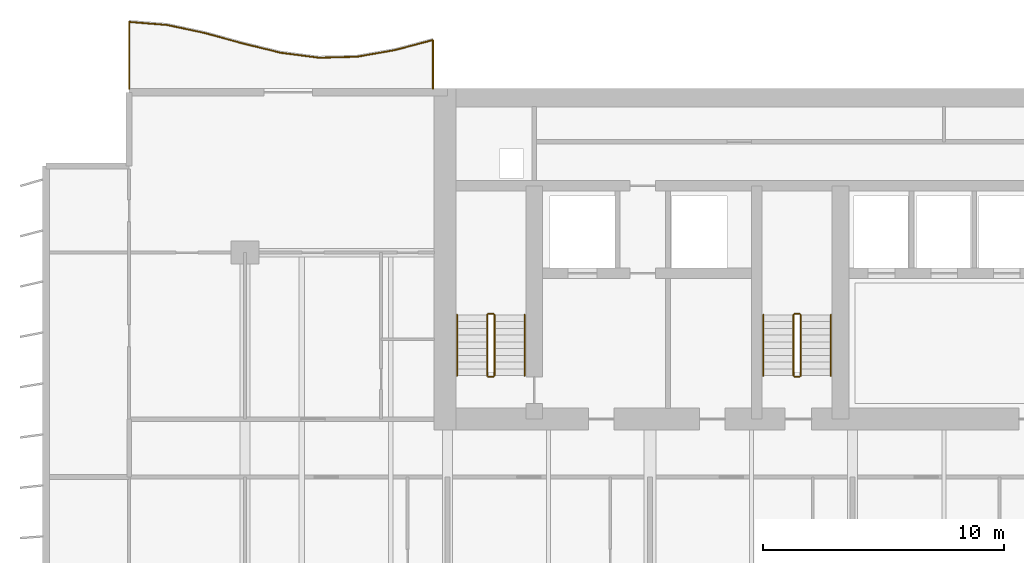
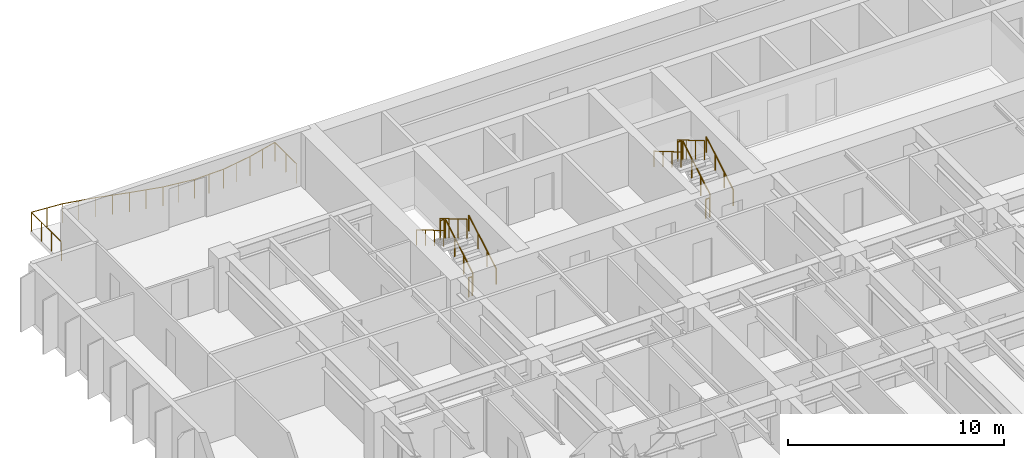
# One storey, part 15 of 17: 13 railings.
"""IFC4 building model written with IfcOpenShell, lengths in metres."""

from ifc_helpers import new_model, si_unit, direction, frame, origin, origin_2d, place, context, subcontext, project, spatial, circle, extrude, material, type_object, element, save


model = new_model("IFC4")

# Units and contexts
model_context = context("Model", 3, precision=1e-05, world=origin(), true_north=direction((0.0, 1.0)))
body_context = subcontext(model_context, "Body", "Model", "MODEL_VIEW")
ifc_project = project(units=[si_unit("LENGTHUNIT", "METRE"), si_unit("AREAUNIT", "SQUARE_METRE"), si_unit("VOLUMEUNIT", "CUBIC_METRE"), si_unit("PLANEANGLEUNIT", "RADIAN"), si_unit("MASSUNIT", "GRAM", prefix="KILO")], contexts=[model_context])

# Site, building, storey
site_placement = place(None, origin())
site = spatial("IfcSite", under=ifc_project, at=site_placement, CompositionType="ELEMENT")
building_placement = place(site_placement, origin())
building = spatial("IfcBuilding", under=site, at=building_placement, Name="Caelmar Bay Residences", CompositionType="ELEMENT")
storey_placement = place(building_placement, frame((0.0, 0.0, 30.0)))
storey = spatial("IfcBuildingStorey", under=building, at=storey_placement, Name="L06", CompositionType="ELEMENT", Elevation=30.0)

# Railings
ifc_material_1 = material(Name="Anodised bronze handrail with laminated hurricane glass infill", Category="glass")
railing_type_1 = type_object("IfcRailingType", Name="RL-BAL-1100", PredefinedType="BALUSTRADE", material=ifc_material_1)
railing_1_placement = place(storey_placement, frame((17.699951171875, 50.60009765625, 0.0)))
element("IfcRailing", 1, at=railing_1_placement, inside=storey, type_object=railing_type_1, Name="L06 north_west Balcony Balustrade", PredefinedType="BALUSTRADE", context=body_context, shape_type="SweptSolid", body=[
    extrude(circle(Radius=0.02392578125, at=origin_2d()), frame((0.0, 0.0, 1.076171875), z_axis=(0.0, 1.0, 0.0), x_axis=(-1.0, 0.0, 0.0)), (0.0, 0.0, 1.0), 2.02001953125),
    extrude(circle(Radius=0.02392578125, at=origin_2d()), frame((0.0, 2.02001953125, 1.076171875), z_axis=(-0.966728120508, -0.255806061341, 0.0), x_axis=(0.255806061341, -0.966728120508, 0.0)), (0.0, 0.0, 1.0), 1.629150390625),
    extrude(circle(Radius=0.02392578125, at=origin_2d()), frame((-1.574951171875, 1.603271484375, 1.076171875), z_axis=(-0.984950641335, -0.172835858935, 0.0), x_axis=(0.172835858935, -0.984950641335, 0.0)), (0.0, 0.0, 1.0), 1.59912109375),
    extrude(circle(Radius=0.02392578125, at=origin_2d()), frame((-3.14990234375, 1.326904296875, 1.076171875), z_axis=(-0.9996364388, -0.026962756216, 0.0), x_axis=(0.026962756216, -0.9996364388, 0.0)), (0.0, 0.0, 1.0), 1.575439453125),
    extrude(circle(Radius=0.02392578125, at=origin_2d()), frame((-4.724853515625, 1.284423828125, 1.076171875), z_axis=(-0.991631235968, 0.129102640765, 0.0), x_axis=(-0.129102640765, -0.991631235968, 0.0)), (0.0, 0.0, 1.0), 1.58837890625),
    extrude(circle(Radius=0.02392578125, at=origin_2d()), frame((-6.300048828125, 1.489501953125, 1.076171875), z_axis=(-0.971534712274, 0.236897241111, 0.0), x_axis=(-0.236897241111, -0.971534712274, 0.0)), (0.0, 0.0, 1.0), 1.62109375),
    extrude(circle(Radius=0.02392578125, at=origin_2d()), frame((-7.875, 1.87353515625, 1.076171875), z_axis=(-0.964168126778, 0.265291958616, 0.0), x_axis=(-0.265291958616, -0.964168126778, 0.0)), (0.0, 0.0, 1.0), 1.633544921875),
    extrude(circle(Radius=0.02392578125, at=origin_2d()), frame((-9.449951171875, 2.306884765625, 1.076171875), z_axis=(-0.977906557301, 0.209042496127, 0.0), x_axis=(-0.209042496127, -0.977906557301, 0.0)), (0.0, 0.0, 1.0), 1.610595703125),
    extrude(circle(Radius=0.02392578125, at=origin_2d()), frame((-11.02490234375, 2.6435546875, 1.076171875), z_axis=(-0.996791652008, 0.08004000554, 0.0), x_axis=(-0.08004000554, -0.996791652008, 0.0)), (0.0, 0.0, 1.0), 1.580078125),
    extrude(circle(Radius=0.02392578125, at=origin_2d()), frame((-12.599853515625, 2.77001953125, 1.076171875), z_axis=(0.0, -1.0, 0.0), x_axis=(1.0, 0.0, 0.0)), (0.0, 0.0, 1.0), 2.77001953125),
    extrude(circle(Radius=0.02099609375, at=origin_2d()), origin(), (0.0, 0.0, 1.0), 1.052001953125),
    extrude(circle(Radius=0.02099609375, at=origin_2d()), frame((0.0, 1.010009765625, 0.0)), (0.0, 0.0, 1.0), 1.052001953125),
    extrude(circle(Radius=0.02099609375, at=origin_2d()), frame((0.0, 2.02001953125, 0.0)), (0.0, 0.0, 1.0), 1.052001953125),
    extrude(circle(Radius=0.02099609375, at=origin_2d()), frame((-0.78759765625, 1.8115234375, 0.0)), (0.0, 0.0, 1.0), 1.052001953125),
    extrude(circle(Radius=0.02099609375, at=origin_2d()), frame((-1.574951171875, 1.603271484375, 0.0)), (0.0, 0.0, 1.0), 1.052001953125),
    extrude(circle(Radius=0.02099609375, at=origin_2d()), frame((-2.3623046875, 1.465087890625, 0.0)), (0.0, 0.0, 1.0), 1.052001953125),
    extrude(circle(Radius=0.02099609375, at=origin_2d()), frame((-3.14990234375, 1.326904296875, 0.0)), (0.0, 0.0, 1.0), 1.052001953125),
    extrude(circle(Radius=0.02099609375, at=origin_2d()), frame((-3.9375, 1.3056640625, 0.0)), (0.0, 0.0, 1.0), 1.052001953125),
    extrude(circle(Radius=0.02099609375, at=origin_2d()), frame((-4.724853515625, 1.284423828125, 0.0)), (0.0, 0.0, 1.0), 1.052001953125),
    extrude(circle(Radius=0.02099609375, at=origin_2d()), frame((-5.512451171875, 1.386962890625, 0.0)), (0.0, 0.0, 1.0), 1.052001953125),
    extrude(circle(Radius=0.02099609375, at=origin_2d()), frame((-6.300048828125, 1.489501953125, 0.0)), (0.0, 0.0, 1.0), 1.052001953125),
    extrude(circle(Radius=0.02099609375, at=origin_2d()), frame((-7.08740234375, 1.681640625, 0.0)), (0.0, 0.0, 1.0), 1.052001953125),
    extrude(circle(Radius=0.02099609375, at=origin_2d()), frame((-7.875, 1.87353515625, 0.0)), (0.0, 0.0, 1.0), 1.052001953125),
    extrude(circle(Radius=0.02099609375, at=origin_2d()), frame((-8.66259765625, 2.09033203125, 0.0)), (0.0, 0.0, 1.0), 1.052001953125),
    extrude(circle(Radius=0.02099609375, at=origin_2d()), frame((-9.449951171875, 2.306884765625, 0.0)), (0.0, 0.0, 1.0), 1.052001953125),
    extrude(circle(Radius=0.02099609375, at=origin_2d()), frame((-10.2373046875, 2.47509765625, 0.0)), (0.0, 0.0, 1.0), 1.052001953125),
    extrude(circle(Radius=0.02099609375, at=origin_2d()), frame((-11.02490234375, 2.6435546875, 0.0)), (0.0, 0.0, 1.0), 1.052001953125),
    extrude(circle(Radius=0.02099609375, at=origin_2d()), frame((-11.8125, 2.706787109375, 0.0)), (0.0, 0.0, 1.0), 1.052001953125),
    extrude(circle(Radius=0.02099609375, at=origin_2d()), frame((-12.599853515625, 2.77001953125, 0.0)), (0.0, 0.0, 1.0), 1.052001953125),
    extrude(circle(Radius=0.02099609375, at=origin_2d()), frame((-12.599853515625, 1.8466796875, 0.0)), (0.0, 0.0, 1.0), 1.052001953125),
    extrude(circle(Radius=0.02099609375, at=origin_2d()), frame((-12.599853515625, 0.92333984375, 0.0)), (0.0, 0.0, 1.0), 1.052001953125),
    extrude(circle(Radius=0.02099609375, at=origin_2d()), frame((-12.599853515625, 0.0, 0.0)), (0.0, 0.0, 1.0), 1.052001953125),
])
ifc_material_2 = material(Name="Painted galvanized steel stair guard 1100 mm", Category="steel")
railing_type_2 = type_object("IfcRailingType", Name="RL-GRD-1100", PredefinedType="GUARDRAIL", material=ifc_material_2)
railing_2_placement = place(storey_placement, frame((20.25, 38.699951171875, 0.1650390625)))
element("IfcRailing", 2, at=railing_2_placement, inside=storey, type_object=railing_type_2, Name="L06 ST1 stair guard 1", PredefinedType="GUARDRAIL", context=body_context, shape_type="SweptSolid", body=[
    extrude(circle(Radius=0.02392578125, at=origin_2d()), frame((0.0, 0.0, 1.076171875), z_axis=(0.0, 0.861560626758, 0.507654692109), x_axis=(-1.0, 0.0, 0.0)), (0.0, 0.0, 1.0), 2.925048828125),
    extrude(circle(Radius=0.02099609375, at=origin_2d()), origin(), (0.0, 0.0, 1.0), 1.052001953125),
    extrude(circle(Radius=0.02099609375, at=origin_2d()), frame((0.0, 0.840087890625, 0.494873046875)), (0.0, 0.0, 1.0), 1.052001953125),
    extrude(circle(Radius=0.02099609375, at=origin_2d()), frame((0.0, 1.679931640625, 0.989990234375)), (0.0, 0.0, 1.0), 1.052001953125),
    extrude(circle(Radius=0.02099609375, at=origin_2d()), frame((0.0, 2.52001953125, 1.48486328125)), (0.0, 0.0, 1.0), 1.052001953125),
])
railing_3_placement = place(storey_placement, frame((20.199951171875, 41.27001953125, 1.64990234375)))
element("IfcRailing", 3, at=railing_3_placement, inside=storey, type_object=railing_type_2, Name="L06 ST1 stair guard 2", PredefinedType="GUARDRAIL", context=body_context, shape_type="SweptSolid", body=[
    extrude(circle(Radius=0.02392578125, at=origin_2d()), frame((0.0, 0.0, 1.076171875), z_axis=(-1.0, 0.0, 0.0), x_axis=(0.0, -1.0, 0.0)), (0.0, 0.0, 1.0), 0.199951171875),
    extrude(circle(Radius=0.02099609375, at=origin_2d()), origin(), (0.0, 0.0, 1.0), 1.052001953125),
    extrude(circle(Radius=0.02099609375, at=origin_2d()), frame((-0.199951171875, 0.0, 0.0)), (0.0, 0.0, 1.0), 1.052001953125),
])
railing_4_placement = place(storey_placement, frame((19.949951171875, 41.219970703125, 1.81494140625)))
element("IfcRailing", 4, at=railing_4_placement, inside=storey, type_object=railing_type_2, Name="L06 ST1 stair guard 3", PredefinedType="GUARDRAIL", context=body_context, shape_type="SweptSolid", body=[
    extrude(circle(Radius=0.02392578125, at=origin_2d()), frame((0.0, 0.0, 1.076171875), z_axis=(0.0, -0.86152411907, 0.507716645641), x_axis=(1.0, 0.0, 0.0)), (0.0, 0.0, 1.0), 2.925048828125),
    extrude(circle(Radius=0.02099609375, at=origin_2d()), origin(), (0.0, 0.0, 1.0), 1.052001953125),
    extrude(circle(Radius=0.02099609375, at=origin_2d()), frame((0.0, -0.840087890625, 0.4951171875)), (0.0, 0.0, 1.0), 1.052001953125),
    extrude(circle(Radius=0.02099609375, at=origin_2d()), frame((0.0, -1.679931640625, 0.989990234375)), (0.0, 0.0, 1.0), 1.052001953125),
    extrude(circle(Radius=0.02099609375, at=origin_2d()), frame((0.0, -2.52001953125, 1.485107421875)), (0.0, 0.0, 1.0), 1.052001953125),
])
railing_5_placement = place(storey_placement, frame((20.199951171875, 38.64990234375, 0.0)))
element("IfcRailing", 5, at=railing_5_placement, inside=storey, type_object=railing_type_2, Name="L06 ST1 stair guard 4", PredefinedType="GUARDRAIL", context=body_context, shape_type="SweptSolid", body=[
    extrude(circle(Radius=0.02392578125, at=origin_2d()), frame((0.0, 0.0, 1.076171875), z_axis=(-1.0, 0.0, 0.0), x_axis=(0.0, -1.0, 0.0)), (0.0, 0.0, 1.0), 0.199951171875),
    extrude(circle(Radius=0.02099609375, at=origin_2d()), origin(), (0.0, 0.0, 1.0), 1.052001953125),
    extrude(circle(Radius=0.02099609375, at=origin_2d()), frame((-0.199951171875, 0.0, 0.0)), (0.0, 0.0, 1.0), 1.052001953125),
])
railing_6_placement = place(storey_placement, frame((32.949951171875, 38.699951171875, 0.1650390625)))
element("IfcRailing", 6, at=railing_6_placement, inside=storey, type_object=railing_type_2, Name="L06 ST3 stair guard 1", PredefinedType="GUARDRAIL", context=body_context, shape_type="SweptSolid", body=[
    extrude(circle(Radius=0.02392578125, at=origin_2d()), frame((0.0, 0.0, 1.076171875), z_axis=(0.0, 0.861560626758, 0.507654692109), x_axis=(-1.0, 0.0, 0.0)), (0.0, 0.0, 1.0), 2.925048828125),
    extrude(circle(Radius=0.02099609375, at=origin_2d()), origin(), (0.0, 0.0, 1.0), 1.052001953125),
    extrude(circle(Radius=0.02099609375, at=origin_2d()), frame((0.0, 0.840087890625, 0.494873046875)), (0.0, 0.0, 1.0), 1.052001953125),
    extrude(circle(Radius=0.02099609375, at=origin_2d()), frame((0.0, 1.679931640625, 0.989990234375)), (0.0, 0.0, 1.0), 1.052001953125),
    extrude(circle(Radius=0.02099609375, at=origin_2d()), frame((0.0, 2.52001953125, 1.48486328125)), (0.0, 0.0, 1.0), 1.052001953125),
])
railing_7_placement = place(storey_placement, frame((32.89990234375, 41.27001953125, 1.64990234375)))
element("IfcRailing", 7, at=railing_7_placement, inside=storey, type_object=railing_type_2, Name="L06 ST3 stair guard 2", PredefinedType="GUARDRAIL", context=body_context, shape_type="SweptSolid", body=[
    extrude(circle(Radius=0.02392578125, at=origin_2d()), frame((0.0, 0.0, 1.076171875), z_axis=(-1.0, 0.0, 0.0), x_axis=(0.0, -1.0, 0.0)), (0.0, 0.0, 1.0), 0.199951171875),
    extrude(circle(Radius=0.02099609375, at=origin_2d()), origin(), (0.0, 0.0, 1.0), 1.052001953125),
    extrude(circle(Radius=0.02099609375, at=origin_2d()), frame((-0.199951171875, 0.0, 0.0)), (0.0, 0.0, 1.0), 1.052001953125),
])
railing_8_placement = place(storey_placement, frame((32.64990234375, 41.219970703125, 1.81494140625)))
element("IfcRailing", 8, at=railing_8_placement, inside=storey, type_object=railing_type_2, Name="L06 ST3 stair guard 3", PredefinedType="GUARDRAIL", context=body_context, shape_type="SweptSolid", body=[
    extrude(circle(Radius=0.02392578125, at=origin_2d()), frame((0.0, 0.0, 1.076171875), z_axis=(0.0, -0.86152411907, 0.507716645641), x_axis=(1.0, 0.0, 0.0)), (0.0, 0.0, 1.0), 2.925048828125),
    extrude(circle(Radius=0.02099609375, at=origin_2d()), origin(), (0.0, 0.0, 1.0), 1.052001953125),
    extrude(circle(Radius=0.02099609375, at=origin_2d()), frame((0.0, -0.840087890625, 0.4951171875)), (0.0, 0.0, 1.0), 1.052001953125),
    extrude(circle(Radius=0.02099609375, at=origin_2d()), frame((0.0, -1.679931640625, 0.989990234375)), (0.0, 0.0, 1.0), 1.052001953125),
    extrude(circle(Radius=0.02099609375, at=origin_2d()), frame((0.0, -2.52001953125, 1.485107421875)), (0.0, 0.0, 1.0), 1.052001953125),
])
railing_9_placement = place(storey_placement, frame((32.89990234375, 38.64990234375, 0.0)))
element("IfcRailing", 9, at=railing_9_placement, inside=storey, type_object=railing_type_2, Name="L06 ST3 stair guard 4", PredefinedType="GUARDRAIL", context=body_context, shape_type="SweptSolid", body=[
    extrude(circle(Radius=0.02392578125, at=origin_2d()), frame((0.0, 0.0, 1.076171875), z_axis=(-1.0, 0.0, 0.0), x_axis=(0.0, -1.0, 0.0)), (0.0, 0.0, 1.0), 0.199951171875),
    extrude(circle(Radius=0.02099609375, at=origin_2d()), origin(), (0.0, 0.0, 1.0), 1.052001953125),
    extrude(circle(Radius=0.02099609375, at=origin_2d()), frame((-0.199951171875, 0.0, 0.0)), (0.0, 0.0, 1.0), 1.052001953125),
])
ifc_material_3 = material(Name="Brushed bronze stainless-steel tubular handrail 900 mm", Category="steel")
railing_type_3 = type_object("IfcRailingType", Name="RL-HND-900", PredefinedType="HANDRAIL", material=ifc_material_3)
railing_10_placement = place(storey_placement, frame((21.5, 38.699951171875, 0.1650390625)))
element("IfcRailing", 10, at=railing_10_placement, inside=storey, type_object=railing_type_3, Name="L06 ST1 stair handrail 1", PredefinedType="HANDRAIL", context=body_context, shape_type="SweptSolid", body=[
    extrude(circle(Radius=0.02392578125, at=origin_2d()), frame((0.0, 0.0, 0.8759765625), z_axis=(0.0, 0.861560626758, 0.507654692109), x_axis=(-1.0, 0.0, 0.0)), (0.0, 0.0, 1.0), 2.925048828125),
    extrude(circle(Radius=0.02099609375, at=origin_2d()), origin(), (0.0, 0.0, 1.0), 0.851806640625),
    extrude(circle(Radius=0.02099609375, at=origin_2d()), frame((0.0, 0.840087890625, 0.494873046875)), (0.0, 0.0, 1.0), 0.851806640625),
    extrude(circle(Radius=0.02099609375, at=origin_2d()), frame((0.0, 1.679931640625, 0.989990234375)), (0.0, 0.0, 1.0), 0.851806640625),
    extrude(circle(Radius=0.02099609375, at=origin_2d()), frame((0.0, 2.52001953125, 1.48486328125)), (0.0, 0.0, 1.0), 0.851806640625),
])
railing_11_placement = place(storey_placement, frame((18.699951171875, 41.219970703125, 1.81494140625)))
element("IfcRailing", 11, at=railing_11_placement, inside=storey, type_object=railing_type_3, Name="L06 ST1 stair handrail 2", PredefinedType="HANDRAIL", context=body_context, shape_type="SweptSolid", body=[
    extrude(circle(Radius=0.02392578125, at=origin_2d()), frame((0.0, 0.0, 0.8759765625), z_axis=(0.0, -0.86152411907, 0.507716645641), x_axis=(1.0, 0.0, 0.0)), (0.0, 0.0, 1.0), 2.925048828125),
    extrude(circle(Radius=0.02099609375, at=origin_2d()), origin(), (0.0, 0.0, 1.0), 0.851806640625),
    extrude(circle(Radius=0.02099609375, at=origin_2d()), frame((0.0, -0.840087890625, 0.4951171875)), (0.0, 0.0, 1.0), 0.851806640625),
    extrude(circle(Radius=0.02099609375, at=origin_2d()), frame((0.0, -1.679931640625, 0.989990234375)), (0.0, 0.0, 1.0), 0.851806640625),
    extrude(circle(Radius=0.02099609375, at=origin_2d()), frame((0.0, -2.52001953125, 1.485107421875)), (0.0, 0.0, 1.0), 0.851806640625),
])
railing_12_placement = place(storey_placement, frame((34.199951171875, 38.699951171875, 0.1650390625)))
element("IfcRailing", 12, at=railing_12_placement, inside=storey, type_object=railing_type_3, Name="L06 ST3 stair handrail 1", PredefinedType="HANDRAIL", context=body_context, shape_type="SweptSolid", body=[
    extrude(circle(Radius=0.02392578125, at=origin_2d()), frame((0.0, 0.0, 0.8759765625), z_axis=(0.0, 0.861560626758, 0.507654692109), x_axis=(-1.0, 0.0, 0.0)), (0.0, 0.0, 1.0), 2.925048828125),
    extrude(circle(Radius=0.02099609375, at=origin_2d()), origin(), (0.0, 0.0, 1.0), 0.851806640625),
    extrude(circle(Radius=0.02099609375, at=origin_2d()), frame((0.0, 0.840087890625, 0.494873046875)), (0.0, 0.0, 1.0), 0.851806640625),
    extrude(circle(Radius=0.02099609375, at=origin_2d()), frame((0.0, 1.679931640625, 0.989990234375)), (0.0, 0.0, 1.0), 0.851806640625),
    extrude(circle(Radius=0.02099609375, at=origin_2d()), frame((0.0, 2.52001953125, 1.48486328125)), (0.0, 0.0, 1.0), 0.851806640625),
])
railing_13_placement = place(storey_placement, frame((31.39990234375, 41.219970703125, 1.81494140625)))
element("IfcRailing", 13, at=railing_13_placement, inside=storey, type_object=railing_type_3, Name="L06 ST3 stair handrail 2", PredefinedType="HANDRAIL", context=body_context, shape_type="SweptSolid", body=[
    extrude(circle(Radius=0.02392578125, at=origin_2d()), frame((0.0, 0.0, 0.8759765625), z_axis=(0.0, -0.86152411907, 0.507716645641), x_axis=(1.0, 0.0, 0.0)), (0.0, 0.0, 1.0), 2.925048828125),
    extrude(circle(Radius=0.02099609375, at=origin_2d()), origin(), (0.0, 0.0, 1.0), 0.851806640625),
    extrude(circle(Radius=0.02099609375, at=origin_2d()), frame((0.0, -0.840087890625, 0.4951171875)), (0.0, 0.0, 1.0), 0.851806640625),
    extrude(circle(Radius=0.02099609375, at=origin_2d()), frame((0.0, -1.679931640625, 0.989990234375)), (0.0, 0.0, 1.0), 0.851806640625),
    extrude(circle(Radius=0.02099609375, at=origin_2d()), frame((0.0, -2.52001953125, 1.485107421875)), (0.0, 0.0, 1.0), 0.851806640625),
])

save(model, "model.ifc")
